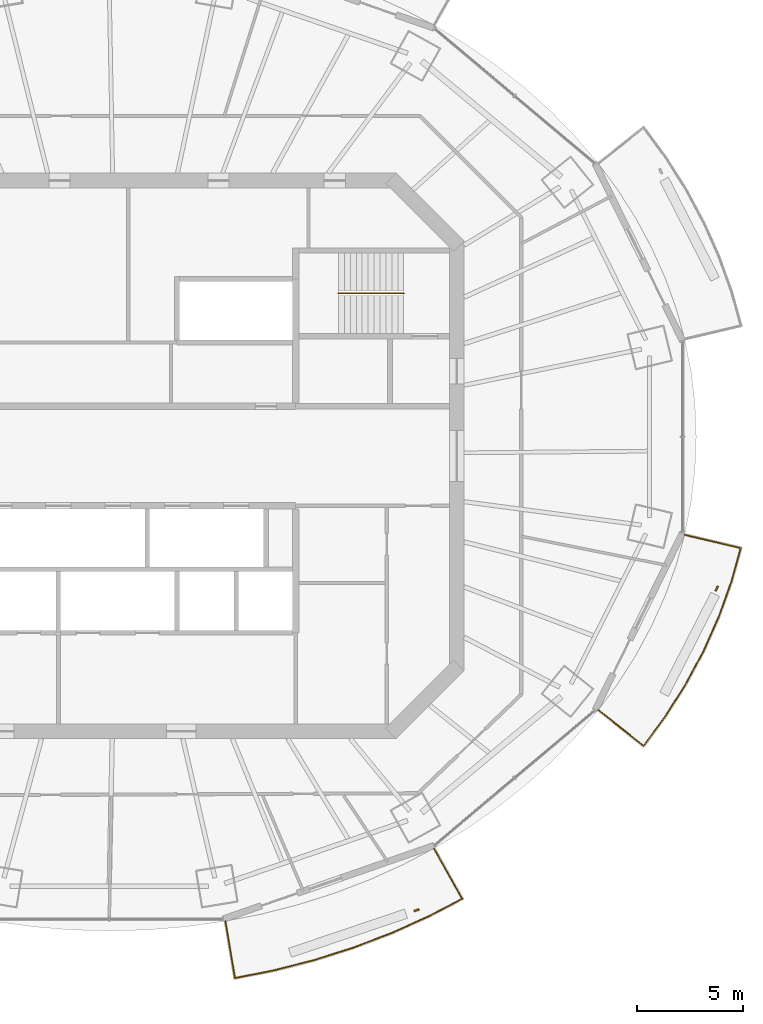
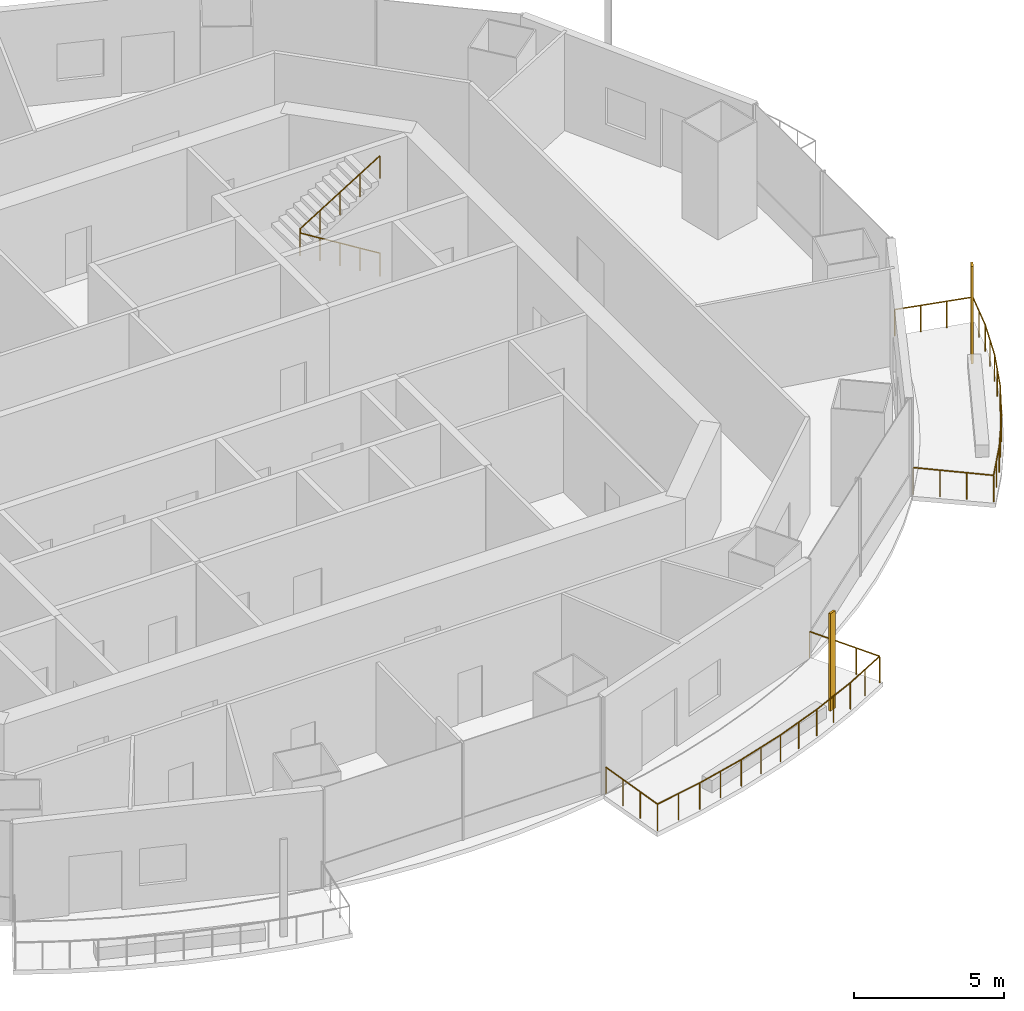
# One storey, part 13 of 16: 3 railings, 2 shading devices.
"""IFC4 building model written with IfcOpenShell, lengths in metres."""

from ifc_helpers import new_model, si_unit, direction, frame, origin, origin_2d, place, context, subcontext, project, spatial, rectangle, circle, extrude, material, material_profile, profile_set, type_object, element, save


model = new_model("IFC4")

# Units and contexts
model_context = context("Model", 3, precision=1e-05, world=origin(), true_north=direction((0.0, 1.0)))
body_context = subcontext(model_context, "Body", "Model", "MODEL_VIEW")
ifc_project = project(units=[si_unit("LENGTHUNIT", "METRE"), si_unit("AREAUNIT", "SQUARE_METRE"), si_unit("VOLUMEUNIT", "CUBIC_METRE"), si_unit("PLANEANGLEUNIT", "RADIAN"), si_unit("MASSUNIT", "GRAM", prefix="KILO")], contexts=[model_context])

# Site, building, storey
site_placement = place(None, origin())
site = spatial("IfcSite", under=ifc_project, at=site_placement, CompositionType="ELEMENT")
building_placement = place(site_placement, origin())
building = spatial("IfcBuilding", under=site, at=building_placement, Name="Marenthal Gate Tower", CompositionType="ELEMENT")
storey_placement = place(building_placement, frame((0.0, 0.0, 326.0)))
storey = spatial("IfcBuildingStorey", under=building, at=storey_placement, Name="L73", CompositionType="ELEMENT", Elevation=326.0)

# Railings
ifc_material_1 = material(Name="Stainless steel", Category="steel")
railing_type_1 = type_object("IfcRailingType", Name="Balcony guard 1100", PredefinedType="GUARDRAIL", material=ifc_material_1)
railing_1_placement = place(storey_placement, frame((14.92626953125, -18.534912109375, 0.0)))
element("IfcRailing", 1, at=railing_1_placement, inside=storey, type_object=railing_type_1, Name="Balcony guard L73 bay 13", PredefinedType="GUARDRAIL", context=body_context, shape_type="SweptSolid", body=[
    extrude(circle(Radius=0.02392578125, at=origin_2d()), frame((0.0, 0.0, 1.076171875), z_axis=(0.490566018996, -0.871279713211, -0.014718775543), x_axis=(0.871374106592, 0.49061916632, 0.0)), (0.0, 0.0, 1.0), 2.72021484375),
    extrude(circle(Radius=0.02392578125, at=origin_2d()), frame((1.33447265625, -2.3701171875, 1.0361328125), z_axis=(-0.886546608419, -0.462639288324, 0.0), x_axis=(0.462639288324, -0.886546608419, 0.0)), (0.0, 0.0, 1.0), 1.82177734375),
    extrude(circle(Radius=0.02392578125, at=origin_2d()), frame((-0.280517578125, -3.212890625, 1.0361328125), z_axis=(-0.911923891931, -0.410359373387, 0.0), x_axis=(0.410359373387, -0.911923891931, 0.0)), (0.0, 0.0, 1.0), 1.913818359375),
    extrude(circle(Radius=0.02392578125, at=origin_2d()), frame((-2.02587890625, -3.998291015625, 1.0361328125), z_axis=(-0.934345067438, -0.356369604419, 0.0), x_axis=(0.356369604419, -0.934345067438, 0.0)), (0.0, 0.0, 1.0), 1.92578125),
    extrude(circle(Radius=0.02392578125, at=origin_2d()), frame((-3.8251953125, -4.6845703125, 1.0361328125), z_axis=(-0.953294423238, -0.302042617232, 0.0), x_axis=(0.302042617232, -0.953294423238, 0.0)), (0.0, 0.0, 1.0), 1.935791015625),
    extrude(circle(Radius=0.02392578125, at=origin_2d()), frame((-5.670654296875, -5.269287109375, 1.0361328125), z_axis=(-0.968904264382, -0.247435903744, 0.0), x_axis=(0.247435903744, -0.968904264382, 0.0)), (0.0, 0.0, 1.0), 1.94482421875),
    extrude(circle(Radius=0.02392578125, at=origin_2d()), frame((-7.554931640625, -5.75048828125, 1.0361328125), z_axis=(-0.981044354343, -0.193783319228, 0.0), x_axis=(0.193783319228, -0.981044354343, 0.0)), (0.0, 0.0, 1.0), 1.8720703125),
    extrude(circle(Radius=0.02392578125, at=origin_2d()), frame((-9.3916015625, -6.11328125, 1.0361328125), z_axis=(-0.165225230724, 0.986146026723, 0.014718597414), x_axis=(-0.986252861995, -0.165243130591, 0.0)), (0.0, 0.0, 1.0), 2.72021484375),
    extrude(circle(Radius=0.02099609375, at=origin_2d()), origin(), (0.0, 0.0, 1.0), 1.052001953125),
    extrude(circle(Radius=0.02099609375, at=origin_2d()), frame((0.44482421875, -0.7900390625, -0.013427734375)), (0.0, 0.0, 1.0), 1.052001953125),
    extrude(circle(Radius=0.02099609375, at=origin_2d()), frame((0.8896484375, -1.580078125, -0.026611328125)), (0.0, 0.0, 1.0), 1.052001953125),
    extrude(circle(Radius=0.02099609375, at=origin_2d()), frame((1.33447265625, -2.3701171875, -0.0400390625)), (0.0, 0.0, 1.0), 1.052001953125),
    extrude(circle(Radius=0.02099609375, at=origin_2d()), frame((0.52685546875, -2.79150390625, -0.0400390625)), (0.0, 0.0, 1.0), 1.052001953125),
    extrude(circle(Radius=0.02099609375, at=origin_2d()), frame((-0.280517578125, -3.212890625, -0.0400390625)), (0.0, 0.0, 1.0), 1.052001953125),
    extrude(circle(Radius=0.02099609375, at=origin_2d()), frame((-1.1533203125, -3.60546875, -0.0400390625)), (0.0, 0.0, 1.0), 1.052001953125),
    extrude(circle(Radius=0.02099609375, at=origin_2d()), frame((-2.02587890625, -3.998291015625, -0.0400390625)), (0.0, 0.0, 1.0), 1.052001953125),
    extrude(circle(Radius=0.02099609375, at=origin_2d()), frame((-2.925537109375, -4.34130859375, -0.0400390625)), (0.0, 0.0, 1.0), 1.052001953125),
    extrude(circle(Radius=0.02099609375, at=origin_2d()), frame((-3.8251953125, -4.6845703125, -0.0400390625)), (0.0, 0.0, 1.0), 1.052001953125),
    extrude(circle(Radius=0.02099609375, at=origin_2d()), frame((-4.748046875, -4.97705078125, -0.0400390625)), (0.0, 0.0, 1.0), 1.052001953125),
    extrude(circle(Radius=0.02099609375, at=origin_2d()), frame((-5.670654296875, -5.269287109375, -0.0400390625)), (0.0, 0.0, 1.0), 1.052001953125),
    extrude(circle(Radius=0.02099609375, at=origin_2d()), frame((-6.61279296875, -5.509765625, -0.0400390625)), (0.0, 0.0, 1.0), 1.052001953125),
    extrude(circle(Radius=0.02099609375, at=origin_2d()), frame((-7.554931640625, -5.75048828125, -0.0400390625)), (0.0, 0.0, 1.0), 1.052001953125),
    extrude(circle(Radius=0.02099609375, at=origin_2d()), frame((-8.47314453125, -5.931884765625, -0.0400390625)), (0.0, 0.0, 1.0), 1.052001953125),
    extrude(circle(Radius=0.02099609375, at=origin_2d()), frame((-9.3916015625, -6.11328125, -0.0400390625)), (0.0, 0.0, 1.0), 1.052001953125),
    extrude(circle(Radius=0.02099609375, at=origin_2d()), frame((-9.54150390625, -5.218994140625, -0.026611328125)), (0.0, 0.0, 1.0), 1.052001953125),
    extrude(circle(Radius=0.02099609375, at=origin_2d()), frame((-9.691162109375, -4.324951171875, -0.013427734375)), (0.0, 0.0, 1.0), 1.052001953125),
    extrude(circle(Radius=0.02099609375, at=origin_2d()), frame((-9.841064453125, -3.4306640625, 0.0)), (0.0, 0.0, 1.0), 1.052001953125),
])
railing_2_placement = place(storey_placement, frame((26.760986328125, -3.728759765625, 0.0)))
element("IfcRailing", 2, at=railing_2_placement, inside=storey, type_object=railing_type_1, Name="Balcony guard L73 bay 15", PredefinedType="GUARDRAIL", context=body_context, shape_type="SweptSolid", body=[
    extrude(circle(Radius=0.02392578125, at=origin_2d()), frame((0.0, 0.0, 1.076171875), z_axis=(0.973162057354, -0.229649733011, -0.014717685117), x_axis=(0.229674609296, 0.97326747292, 0.0)), (0.0, 0.0, 1.0), 2.720458984375),
    extrude(circle(Radius=0.02392578125, at=origin_2d()), frame((2.6474609375, -0.624755859375, 1.0361328125), z_axis=(-0.268767418185, -0.963205105324, 0.0), x_axis=(0.963205105324, -0.268767418185, 0.0)), (0.0, 0.0, 1.0), 1.669677734375),
    extrude(circle(Radius=0.02392578125, at=origin_2d()), frame((2.19873046875, -2.23291015625, 1.0361328125), z_axis=(-0.338940900894, -0.940807666689, 0.0), x_axis=(0.940807666689, -0.338940900894, 0.0)), (0.0, 0.0, 1.0), 1.7568359375),
    extrude(circle(Radius=0.02392578125, at=origin_2d()), frame((1.603271484375, -3.8857421875, 1.0361328125), z_axis=(-0.408087166089, -0.912942969124, 0.0), x_axis=(0.912942969124, -0.408087166089, 0.0)), (0.0, 0.0, 1.0), 1.76611328125),
    extrude(circle(Radius=0.02392578125, at=origin_2d()), frame((0.882568359375, -5.498046875, 1.0361328125), z_axis=(-0.473837561929, -0.880612267065, 0.0), x_axis=(0.880612267065, -0.473837561929, 0.0)), (0.0, 0.0, 1.0), 1.776611328125),
    extrude(circle(Radius=0.02392578125, at=origin_2d()), frame((0.040771484375, -7.0625, 1.0361328125), z_axis=(-0.536035938593, -0.844195162588, 0.0), x_axis=(0.844195162588, -0.536035938593, 0.0)), (0.0, 0.0, 1.0), 1.7880859375),
    extrude(circle(Radius=0.02392578125, at=origin_2d()), frame((-0.917724609375, -8.572021484375, 1.0361328125), z_axis=(-0.592782936872, -0.805362272368, 0.0), x_axis=(0.805362272368, -0.592782936872, 0.0)), (0.0, 0.0, 1.0), 1.721435546875),
    extrude(circle(Radius=0.02392578125, at=origin_2d()), frame((-1.938232421875, -9.95849609375, 1.0361328125), z_axis=(-0.783447468662, 0.621283714267, 0.014717684406), x_axis=(-0.621351013405, -0.783532333819, 0.0)), (0.0, 0.0, 1.0), 2.720458984375),
    extrude(circle(Radius=0.02099609375, at=origin_2d()), origin(), (0.0, 0.0, 1.0), 1.052001953125),
    extrude(circle(Radius=0.02099609375, at=origin_2d()), frame((0.882568359375, -0.208251953125, -0.013427734375)), (0.0, 0.0, 1.0), 1.052001953125),
    extrude(circle(Radius=0.02099609375, at=origin_2d()), frame((1.764892578125, -0.41650390625, -0.026611328125)), (0.0, 0.0, 1.0), 1.052001953125),
    extrude(circle(Radius=0.02099609375, at=origin_2d()), frame((2.6474609375, -0.624755859375, -0.0400390625)), (0.0, 0.0, 1.0), 1.052001953125),
    extrude(circle(Radius=0.02099609375, at=origin_2d()), frame((2.423095703125, -1.4287109375, -0.0400390625)), (0.0, 0.0, 1.0), 1.052001953125),
    extrude(circle(Radius=0.02099609375, at=origin_2d()), frame((2.19873046875, -2.23291015625, -0.0400390625)), (0.0, 0.0, 1.0), 1.052001953125),
    extrude(circle(Radius=0.02099609375, at=origin_2d()), frame((1.90087890625, -3.059326171875, -0.0400390625)), (0.0, 0.0, 1.0), 1.052001953125),
    extrude(circle(Radius=0.02099609375, at=origin_2d()), frame((1.603271484375, -3.8857421875, -0.0400390625)), (0.0, 0.0, 1.0), 1.052001953125),
    extrude(circle(Radius=0.02099609375, at=origin_2d()), frame((1.242919921875, -4.69189453125, -0.0400390625)), (0.0, 0.0, 1.0), 1.052001953125),
    extrude(circle(Radius=0.02099609375, at=origin_2d()), frame((0.882568359375, -5.498046875, -0.0400390625)), (0.0, 0.0, 1.0), 1.052001953125),
    extrude(circle(Radius=0.02099609375, at=origin_2d()), frame((0.461669921875, -6.2802734375, -0.0400390625)), (0.0, 0.0, 1.0), 1.052001953125),
    extrude(circle(Radius=0.02099609375, at=origin_2d()), frame((0.040771484375, -7.0625, -0.0400390625)), (0.0, 0.0, 1.0), 1.052001953125),
    extrude(circle(Radius=0.02099609375, at=origin_2d()), frame((-0.4384765625, -7.8173828125, -0.0400390625)), (0.0, 0.0, 1.0), 1.052001953125),
    extrude(circle(Radius=0.02099609375, at=origin_2d()), frame((-0.917724609375, -8.572021484375, -0.0400390625)), (0.0, 0.0, 1.0), 1.052001953125),
    extrude(circle(Radius=0.02099609375, at=origin_2d()), frame((-1.427978515625, -9.26513671875, -0.0400390625)), (0.0, 0.0, 1.0), 1.052001953125),
    extrude(circle(Radius=0.02099609375, at=origin_2d()), frame((-1.938232421875, -9.95849609375, -0.0400390625)), (0.0, 0.0, 1.0), 1.052001953125),
    extrude(circle(Radius=0.02099609375, at=origin_2d()), frame((-2.648681640625, -9.39501953125, -0.026611328125)), (0.0, 0.0, 1.0), 1.052001953125),
    extrude(circle(Radius=0.02099609375, at=origin_2d()), frame((-3.359130859375, -8.831787109375, -0.013427734375)), (0.0, 0.0, 1.0), 1.052001953125),
    extrude(circle(Radius=0.02099609375, at=origin_2d()), frame((-4.069580078125, -8.268310546875, 0.0)), (0.0, 0.0, 1.0), 1.052001953125),
])
ifc_material_2 = material(Name="Stainless steel", Category="steel")
railing_type_2 = type_object("IfcRailingType", Name="Stair handrail", PredefinedType="HANDRAIL", material=ifc_material_2)
railing_3_placement = place(storey_placement, frame((13.5, 7.675048828125, 0.1728515625)))
element("IfcRailing", 3, at=railing_3_placement, inside=storey, type_object=railing_type_2, Name="Handrail ST3", PredefinedType="HANDRAIL", context=body_context, shape_type="SweptSolid", body=[
    extrude(circle(Radius=0.0224609375, at=origin_2d()), frame((0.0, 0.0, 0.927490234375), z_axis=(-0.850835241893, 0.0, 0.525432575268), x_axis=(0.0, -1.0, 0.0)), (0.0, 0.0, 1.0), 3.6201171875),
    extrude(circle(Radius=0.0224609375, at=origin_2d()), frame((-3.080078125, 0.0, 2.82958984375), z_axis=(0.0, 0.0, 1.0), x_axis=(1.0, 0.0, 0.0)), (0.0, 0.0, 1.0), 0.1728515625),
    extrude(circle(Radius=0.0224609375, at=origin_2d()), frame((-3.080078125, 0.0, 3.00244140625), z_axis=(0.850835241893, 0.0, 0.525432575268), x_axis=(0.0, 1.0, 0.0)), (0.0, 0.0, 1.0), 3.6201171875),
    extrude(circle(Radius=0.02001953125, at=origin_2d()), origin(), (0.0, 0.0, 1.0), 0.905029296875),
    extrude(circle(Radius=0.02001953125, at=origin_2d()), frame((-0.77001953125, 0.0, 0.4755859375)), (0.0, 0.0, 1.0), 0.905029296875),
    extrude(circle(Radius=0.02001953125, at=origin_2d()), frame((-1.5400390625, 0.0, 0.951171875)), (0.0, 0.0, 1.0), 0.905029296875),
    extrude(circle(Radius=0.02001953125, at=origin_2d()), frame((-2.31005859375, 0.0, 1.426513671875)), (0.0, 0.0, 1.0), 0.905029296875),
    extrude(circle(Radius=0.02001953125, at=origin_2d()), frame((-3.080078125, 0.0, 1.902099609375)), (0.0, 0.0, 1.0), 0.905029296875),
    extrude(circle(Radius=0.02001953125, at=origin_2d()), frame((-3.080078125, 0.0, 2.074951171875)), (0.0, 0.0, 1.0), 0.905029296875),
    extrude(circle(Radius=0.02001953125, at=origin_2d()), frame((-2.31005859375, 0.0, 2.550537109375)), (0.0, 0.0, 1.0), 0.905029296875),
    extrude(circle(Radius=0.02001953125, at=origin_2d()), frame((-1.5400390625, 0.0, 3.02587890625)), (0.0, 0.0, 1.0), 0.905029296875),
    extrude(circle(Radius=0.02001953125, at=origin_2d()), frame((-0.77001953125, 0.0, 3.50146484375)), (0.0, 0.0, 1.0), 0.905029296875),
    extrude(circle(Radius=0.02001953125, at=origin_2d()), frame((0.0, 0.0, 3.97705078125)), (0.0, 0.0, 1.0), 0.905029296875),
])

# Shading devices
ifc_material_3 = material(Name="Terracotta", Category="masonry")
ifc_material_profile = material_profile(ifc_material_3, rectangle(XDim=0.25, YDim=0.080078125, at=origin_2d()), Name="Terracotta baguette 250x80")
ifc_profile_set = profile_set([ifc_material_profile], Name="Terracotta")
shading_device_type = type_object("IfcShadingDeviceType", Name="Terracotta BAGUETTE SCREEN 250x80", PredefinedType="USERDEFINED", material=ifc_profile_set)
for number, where, z_axis, x_axis, name in (
    (4, (14.107666015625, -21.446044921875, -0.0400390625), (0.0, 0.0, 1.0), (0.944213856974, 0.329332950521, 0.0), "Terracotta BAGUETTE L73 bay 13R"),
    (5, (28.278076171875, -6.26318359375, -0.0400390625), (0.0, 0.0, 1.0), (0.441395261574, 0.897312778834, 0.0), "Terracotta BAGUETTE L73 bay 15R"),
):
    element("IfcShadingDevice", number, at=place(storey_placement, frame(where, z_axis=z_axis, x_axis=x_axis)), inside=storey, type_object=shading_device_type, Name=name, ObjectType="BAGUETTE SCREEN", PredefinedType="USERDEFINED", context=body_context, shape_type="SweptSolid", body=[
        extrude(rectangle(XDim=0.25, YDim=0.080078125, at=origin_2d()), origin(), (0.0, 0.0, 1.0), 3.969970703125),
    ])

save(model, "model.ifc")
